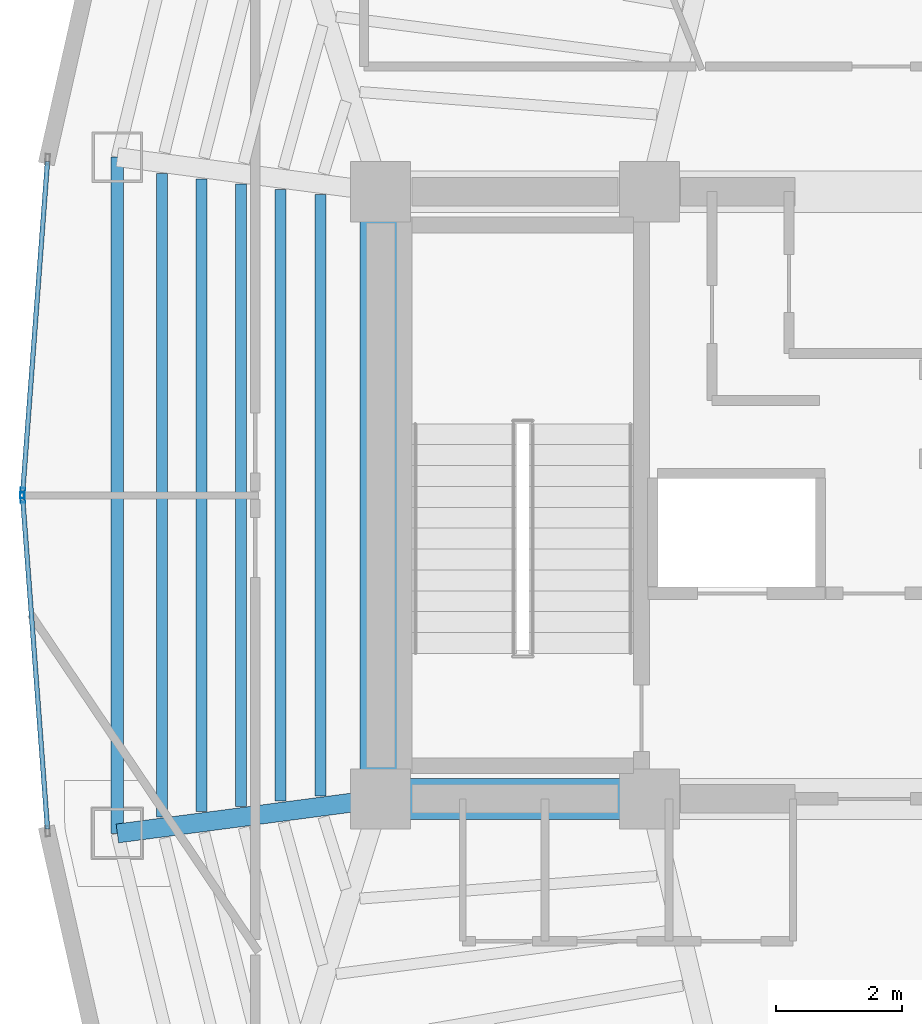
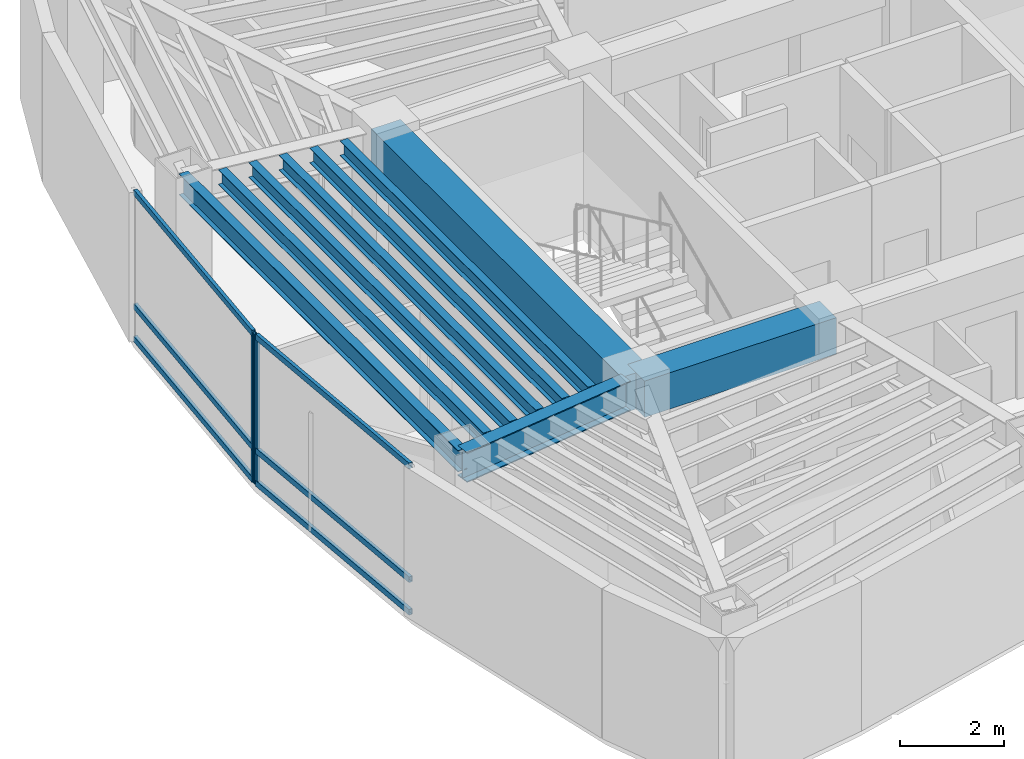
# One storey, part 4 of 15: 9 beams, 8 members, 2 elements without a shape of their own.
"""IFC4 building model written with IfcOpenShell, lengths in metres."""

from ifc_helpers import new_model, si_unit, direction, frame, origin, origin_2d, place, context, subcontext, project, spatial, rectangle, hollow_rectangle, i_section, extrude, material, layer, layer_set, material_profile, profile_set, type_object, element, aggregate, save


model = new_model("IFC4")

# Units and contexts
model_context = context("Model", 3, precision=1e-05, world=origin(), true_north=direction((0.0, 1.0)))
body_context = subcontext(model_context, "Body", "Model", "MODEL_VIEW")
ifc_project = project(units=[si_unit("LENGTHUNIT", "METRE"), si_unit("AREAUNIT", "SQUARE_METRE"), si_unit("VOLUMEUNIT", "CUBIC_METRE"), si_unit("PLANEANGLEUNIT", "RADIAN"), si_unit("MASSUNIT", "GRAM", prefix="KILO")], contexts=[model_context])

# Site, building, storey
site_placement = place(None, origin())
site = spatial("IfcSite", under=ifc_project, at=site_placement, CompositionType="ELEMENT")
building_placement = place(site_placement, origin())
building = spatial("IfcBuilding", under=site, at=building_placement, Name="Menara Vayukalpa", CompositionType="ELEMENT")
storey_placement = place(building_placement, frame((0.0, 0.0, 269.4599609375)))
storey = spatial("IfcBuildingStorey", under=building, at=storey_placement, Name="L68", CompositionType="ELEMENT", Elevation=269.4599609375)

# Beams
ifc_material_1 = material(Name="Concrete C60/75", Category="concrete")
ifc_material_profile_1 = material_profile(ifc_material_1, rectangle(XDim=0.64990234375, YDim=0.85009765625, at=origin_2d()), Name="RC 650x850")
ifc_profile_set_1 = profile_set([ifc_material_profile_1], Name="Concrete C60/75")
beam_type_1 = type_object("IfcBeamType", Name="BM-CB1", PredefinedType="BEAM", material=ifc_profile_set_1)
beam_1_placement = place(storey_placement, frame((17.800048828125, 17.199951171875, 3.074951171875), z_axis=(1.0, 0.0, 0.0), x_axis=(0.0, 1.0, 0.0)))
element("IfcBeam", 1, at=beam_1_placement, inside=storey, type_object=beam_type_1, Name="L68 Core Tie Beam CBR1", PredefinedType="BEAM", context=body_context, shape_type="SweptSolid", body=[
    extrude(rectangle(XDim=0.64990234375, YDim=0.85009765625, at=origin_2d()), origin(), (0.0, 0.0, 1.0), 4.25),
])
beam_2_placement = place(storey_placement, frame((17.800048828125, 17.199951171875, 3.074951171875), z_axis=(0.0, 1.0, 0.0), x_axis=(-1.0, 0.0, 0.0)))
element("IfcBeam", 2, at=beam_2_placement, inside=storey, type_object=beam_type_1, Name="L68 Core Tie Beam CBR7", PredefinedType="BEAM", context=body_context, shape_type="SweptSolid", body=[
    extrude(rectangle(XDim=0.64990234375, YDim=0.85009765625, at=origin_2d()), origin(), (0.0, 0.0, 1.0), 9.60009765625),
])
ifc_material_2 = material(Name="Steel S355", Category="steel")
ifc_material_profile_2 = material_profile(ifc_material_2, i_section(OverallWidth=0.300048828125, OverallDepth=0.699951171875, WebThickness=0.012939453125, FlangeThickness=0.02392578125, at=origin_2d()), Name="WF 700x300x13x24")
ifc_profile_set_2 = profile_set([ifc_material_profile_2], Name="Steel S355")
beam_type_2 = type_object("IfcBeamType", Name="BM-PG5", PredefinedType="BEAM", material=ifc_profile_set_2)
beam_3_placement = place(storey_placement, frame((17.552001953125, 17.16748046875, 3.150146484375), z_axis=(-0.991477860763, -0.130275291662, 0.0), x_axis=(0.130275291662, -0.991477860763, 0.0)))
element("IfcBeam", 3, at=beam_3_placement, inside=storey, type_object=beam_type_2, Name="L68 Primary Radial Girder RG06", PredefinedType="BEAM", context=body_context, shape_type="SweptSolid", body=[
    extrude(i_section(OverallWidth=0.300048828125, OverallDepth=0.699951171875, WebThickness=0.012939453125, FlangeThickness=0.02392578125, at=origin_2d()), origin(), (0.0, 0.0, 1.0), 3.94677734375),
])
ifc_material_3 = material(Name="Steel S355", Category="steel")
ifc_material_profile_3 = material_profile(ifc_material_3, i_section(OverallWidth=0.175048828125, OverallDepth=0.35009765625, WebThickness=0.007080078125, FlangeThickness=0.010986328125, at=origin_2d()), Name="WF 350x175x7x11")
ifc_profile_set_3 = profile_set([ifc_material_profile_3], Name="Steel S355")
beam_type_3 = type_object("IfcBeamType", Name="BM-SJ3", PredefinedType="JOIST", material=ifc_profile_set_3)
beam_4_placement = place(storey_placement, frame((16.84765625, 26.755126953125, 3.324951171875), z_axis=(0.0, -1.0, 0.0), x_axis=(1.0, 0.0, 0.0)))
element("IfcBeam", 4, at=beam_4_placement, inside=storey, type_object=beam_type_3, Name="L68 Secondary Floor Joist SJ05-1", PredefinedType="JOIST", context=body_context, shape_type="SweptSolid", body=[
    extrude(i_section(OverallWidth=0.175048828125, OverallDepth=0.35009765625, WebThickness=0.007080078125, FlangeThickness=0.010986328125, at=origin_2d()), origin(), (0.0, 0.0, 1.0), 9.51025390625),
])
beam_5_placement = place(storey_placement, frame((16.2216796875, 26.83740234375, 3.324951171875), z_axis=(0.0, -1.0, 0.0), x_axis=(1.0, 0.0, 0.0)))
element("IfcBeam", 5, at=beam_5_placement, inside=storey, type_object=beam_type_3, Name="L68 Secondary Floor Joist SJ05-2", PredefinedType="JOIST", context=body_context, shape_type="SweptSolid", body=[
    extrude(i_section(OverallWidth=0.175048828125, OverallDepth=0.35009765625, WebThickness=0.007080078125, FlangeThickness=0.010986328125, at=origin_2d()), origin(), (0.0, 0.0, 1.0), 9.6748046875),
])
beam_6_placement = place(storey_placement, frame((15.595458984375, 26.919677734375, 3.324951171875), z_axis=(0.0, -1.0, 0.0), x_axis=(1.0, 0.0, 0.0)))
element("IfcBeam", 6, at=beam_6_placement, inside=storey, type_object=beam_type_3, Name="L68 Secondary Floor Joist SJ05-3", PredefinedType="JOIST", context=body_context, shape_type="SweptSolid", body=[
    extrude(i_section(OverallWidth=0.175048828125, OverallDepth=0.35009765625, WebThickness=0.007080078125, FlangeThickness=0.010986328125, at=origin_2d()), origin(), (0.0, 0.0, 1.0), 9.83935546875),
])
beam_7_placement = place(storey_placement, frame((14.969482421875, 27.001953125, 3.324951171875), z_axis=(0.0, -1.0, 0.0), x_axis=(1.0, 0.0, 0.0)))
element("IfcBeam", 7, at=beam_7_placement, inside=storey, type_object=beam_type_3, Name="L68 Secondary Floor Joist SJ05-4", PredefinedType="JOIST", context=body_context, shape_type="SweptSolid", body=[
    extrude(i_section(OverallWidth=0.175048828125, OverallDepth=0.35009765625, WebThickness=0.007080078125, FlangeThickness=0.010986328125, at=origin_2d()), origin(), (0.0, 0.0, 1.0), 10.00390625),
])
beam_8_placement = place(storey_placement, frame((14.343505859375, 27.084228515625, 3.324951171875), z_axis=(0.0, -1.0, 0.0), x_axis=(1.0, 0.0, 0.0)))
element("IfcBeam", 8, at=beam_8_placement, inside=storey, type_object=beam_type_3, Name="L68 Secondary Floor Joist SJ05-5", PredefinedType="JOIST", context=body_context, shape_type="SweptSolid", body=[
    extrude(i_section(OverallWidth=0.175048828125, OverallDepth=0.35009765625, WebThickness=0.007080078125, FlangeThickness=0.010986328125, at=origin_2d()), origin(), (0.0, 0.0, 1.0), 10.16845703125),
])
ifc_material_4 = material(Name="Steel S355", Category="steel")
ifc_material_profile_4 = material_profile(ifc_material_4, i_section(OverallWidth=0.199951171875, OverallDepth=0.5, WebThickness=0.010009765625, FlangeThickness=0.01611328125, at=origin_2d()), Name="WF 500x200x10x16")
ifc_profile_set_4 = profile_set([ifc_material_profile_4], Name="Steel S355")
beam_type_4 = type_object("IfcBeamType", Name="BM-SP3", PredefinedType="SPANDREL", material=ifc_profile_set_4)
beam_9_placement = place(storey_placement, frame((13.638916015625, 27.3466796875, 3.25), z_axis=(0.0, -1.0, 0.0), x_axis=(1.0, 0.0, 0.0)))
element("IfcBeam", 9, at=beam_9_placement, inside=storey, type_object=beam_type_4, Name="L68 Perimeter Spandrel Beam SP05", PredefinedType="SPANDREL", context=body_context, shape_type="SweptSolid", body=[
    extrude(i_section(OverallWidth=0.199951171875, OverallDepth=0.5, WebThickness=0.010009765625, FlangeThickness=0.01611328125, at=origin_2d()), origin(), (0.0, 0.0, 1.0), 10.693359375),
])

# Curtain wall, member
ifc_material_5 = material(Name="Anodised Terracotta Aluminium Alloy 6063-T6", Category="masonry")
ifc_layer = layer(ifc_material_5, 0.1650390625)
ifc_layer_set = layer_set([ifc_layer], Name="Anodised Terracotta Aluminium Alloy 6063-T6")
curtain_wall_type = type_object("IfcCurtainWallType", Name="CW-CW6", PredefinedType="USERDEFINED", material=ifc_layer_set)
curtain_wall_1_placement = place(storey_placement, origin())
curtain_wall_1 = element("IfcCurtainWall", 10, at=curtain_wall_1_placement, inside=storey, type_object=curtain_wall_type, Name="L68 Observation and Executive Curtain Wall CW6 10", ObjectType="UNITISED", PredefinedType="USERDEFINED")
ifc_material_6 = material(Name="Anodised Terracotta Aluminium Alloy 6063-T6", Category="masonry")
ifc_material_profile_5 = material_profile(ifc_material_6, hollow_rectangle(XDim=0.070068359375, YDim=0.1650390625, WallThickness=0.00390625, at=origin_2d()), Name="ALU 70x165x4")
ifc_profile_set_5 = profile_set([ifc_material_profile_5], Name="Anodised Terracotta Aluminium Alloy 6063-T6")
member_type_1 = type_object("IfcMemberType", Name="CWM-CW6", PredefinedType="MULLION", material=ifc_profile_set_5)
member_1_placement = place(storey_placement, frame((12.140625, 22.034912109375, 0.0), z_axis=(0.0, 0.0, 1.0), x_axis=(0.997199344663, -0.074789484574, 0.0)))
member_1 = element("IfcMember", 11, at=member_1_placement, type_object=member_type_1, Name="CW6 mullion 2", PredefinedType="MULLION", context=body_context, shape_type="SweptSolid", body=[
    extrude(hollow_rectangle(XDim=0.070068359375, YDim=0.1650390625, WallThickness=0.00390625, at=origin_2d()), origin(), (0.0, 0.0, 1.0), 3.5),
])

curtain_wall_2_placement = place(storey_placement, origin())
curtain_wall_2 = element("IfcCurtainWall", 12, at=curtain_wall_2_placement, inside=storey, type_object=curtain_wall_type, Name="L68 Observation and Executive Curtain Wall CW6 11", ObjectType="UNITISED", PredefinedType="USERDEFINED")
member_2_placement = place(storey_placement, frame((12.140625, 21.965087890625, 0.0), z_axis=(0.0, 0.0, 1.0), x_axis=(0.997199344663, 0.074789484574, 0.0)))
member_2 = element("IfcMember", 13, at=member_2_placement, type_object=member_type_1, Name="CW6 mullion 1", PredefinedType="MULLION", context=body_context, shape_type="SweptSolid", body=[
    extrude(hollow_rectangle(XDim=0.070068359375, YDim=0.1650390625, WallThickness=0.00390625, at=origin_2d()), origin(), (0.0, 0.0, 1.0), 3.5),
])

# Member
ifc_material_7 = material(Name="Anodised Terracotta Aluminium Alloy 6063-T6", Category="masonry")
ifc_material_profile_6 = material_profile(ifc_material_7, hollow_rectangle(XDim=0.074951171875, YDim=0.135009765625, WallThickness=0.00390625, at=origin_2d()), Name="ALU 75x135x4")
ifc_profile_set_6 = profile_set([ifc_material_profile_6], Name="Anodised Terracotta Aluminium Alloy 6063-T6")
member_type_2 = type_object("IfcMemberType", Name="CWT-CW6", PredefinedType="USERDEFINED", material=ifc_profile_set_6)
member_3_placement = place(storey_placement, frame((12.53369140625, 27.27685546875, 0.03759765625), z_axis=(-0.074762051827, -0.997201401727, 0.0), x_axis=(0.997201401727, -0.074762051827, 0.0)))
member_3 = element("IfcMember", 14, at=member_3_placement, type_object=member_type_2, Name="CW6 transom 1.1", ObjectType="TRANSOM", PredefinedType="USERDEFINED", context=body_context, shape_type="SweptSolid", body=[
    extrude(hollow_rectangle(XDim=0.074951171875, YDim=0.135009765625, WallThickness=0.00390625, at=origin_2d()), origin(), (0.0, 0.0, 1.0), 5.2216796875),
])

member_4_placement = place(storey_placement, frame((12.53369140625, 27.27685546875, 0.800048828125), z_axis=(-0.074762051827, -0.997201401727, 0.0), x_axis=(0.997201401727, -0.074762051827, 0.0)))
member_4 = element("IfcMember", 15, at=member_4_placement, type_object=member_type_2, Name="CW6 transom 1.2", ObjectType="TRANSOM", PredefinedType="USERDEFINED", context=body_context, shape_type="SweptSolid", body=[
    extrude(hollow_rectangle(XDim=0.074951171875, YDim=0.135009765625, WallThickness=0.00390625, at=origin_2d()), origin(), (0.0, 0.0, 1.0), 5.2216796875),
])

member_5_placement = place(storey_placement, frame((12.53369140625, 27.27685546875, 3.462646484375), z_axis=(-0.074762051827, -0.997201401727, 0.0), x_axis=(0.997201401727, -0.074762051827, 0.0)))
member_5 = element("IfcMember", 16, at=member_5_placement, type_object=member_type_2, Name="CW6 transom 1.3", ObjectType="TRANSOM", PredefinedType="USERDEFINED", context=body_context, shape_type="SweptSolid", body=[
    extrude(hollow_rectangle(XDim=0.074951171875, YDim=0.135009765625, WallThickness=0.00390625, at=origin_2d()), origin(), (0.0, 0.0, 1.0), 5.2216796875),
])

aggregate(curtain_wall_1, [member_1, member_3, member_4, member_5])

member_6_placement = place(storey_placement, frame((12.143310546875, 21.93017578125, 0.03759765625), z_axis=(0.074762051827, -0.997201401727, 0.0), x_axis=(0.997201401727, 0.074762051827, 0.0)))
member_6 = element("IfcMember", 17, at=member_6_placement, type_object=member_type_2, Name="CW6 transom 1.1", ObjectType="TRANSOM", PredefinedType="USERDEFINED", context=body_context, shape_type="SweptSolid", body=[
    extrude(hollow_rectangle(XDim=0.074951171875, YDim=0.135009765625, WallThickness=0.00390625, at=origin_2d()), origin(), (0.0, 0.0, 1.0), 5.2216796875),
])

member_7_placement = place(storey_placement, frame((12.143310546875, 21.93017578125, 0.800048828125), z_axis=(0.074762051827, -0.997201401727, 0.0), x_axis=(0.997201401727, 0.074762051827, 0.0)))
member_7 = element("IfcMember", 18, at=member_7_placement, type_object=member_type_2, Name="CW6 transom 1.2", ObjectType="TRANSOM", PredefinedType="USERDEFINED", context=body_context, shape_type="SweptSolid", body=[
    extrude(hollow_rectangle(XDim=0.074951171875, YDim=0.135009765625, WallThickness=0.00390625, at=origin_2d()), origin(), (0.0, 0.0, 1.0), 5.2216796875),
])

member_8_placement = place(storey_placement, frame((12.143310546875, 21.93017578125, 3.462646484375), z_axis=(0.074762051827, -0.997201401727, 0.0), x_axis=(0.997201401727, 0.074762051827, 0.0)))
member_8 = element("IfcMember", 19, at=member_8_placement, type_object=member_type_2, Name="CW6 transom 1.3", ObjectType="TRANSOM", PredefinedType="USERDEFINED", context=body_context, shape_type="SweptSolid", body=[
    extrude(hollow_rectangle(XDim=0.074951171875, YDim=0.135009765625, WallThickness=0.00390625, at=origin_2d()), origin(), (0.0, 0.0, 1.0), 5.2216796875),
])

aggregate(curtain_wall_2, [member_2, member_6, member_7, member_8])

save(model, "model.ifc")
